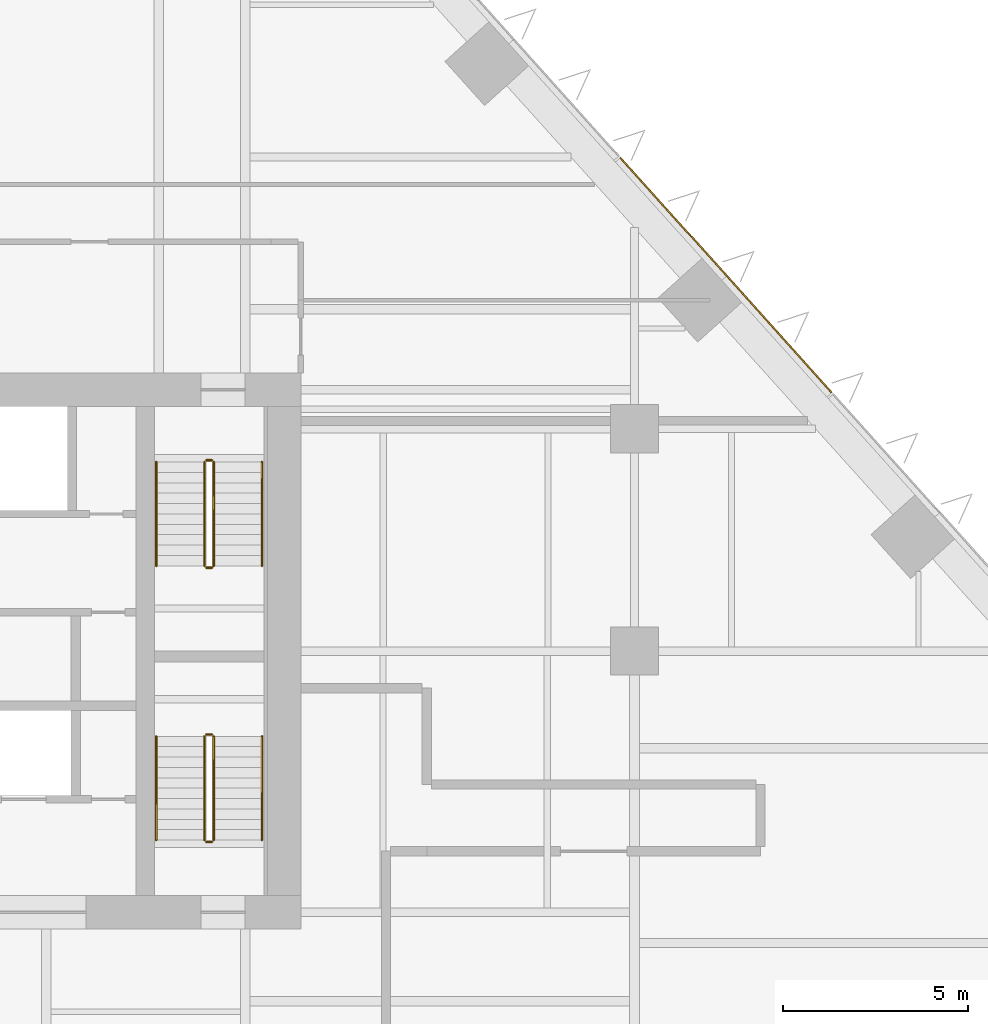
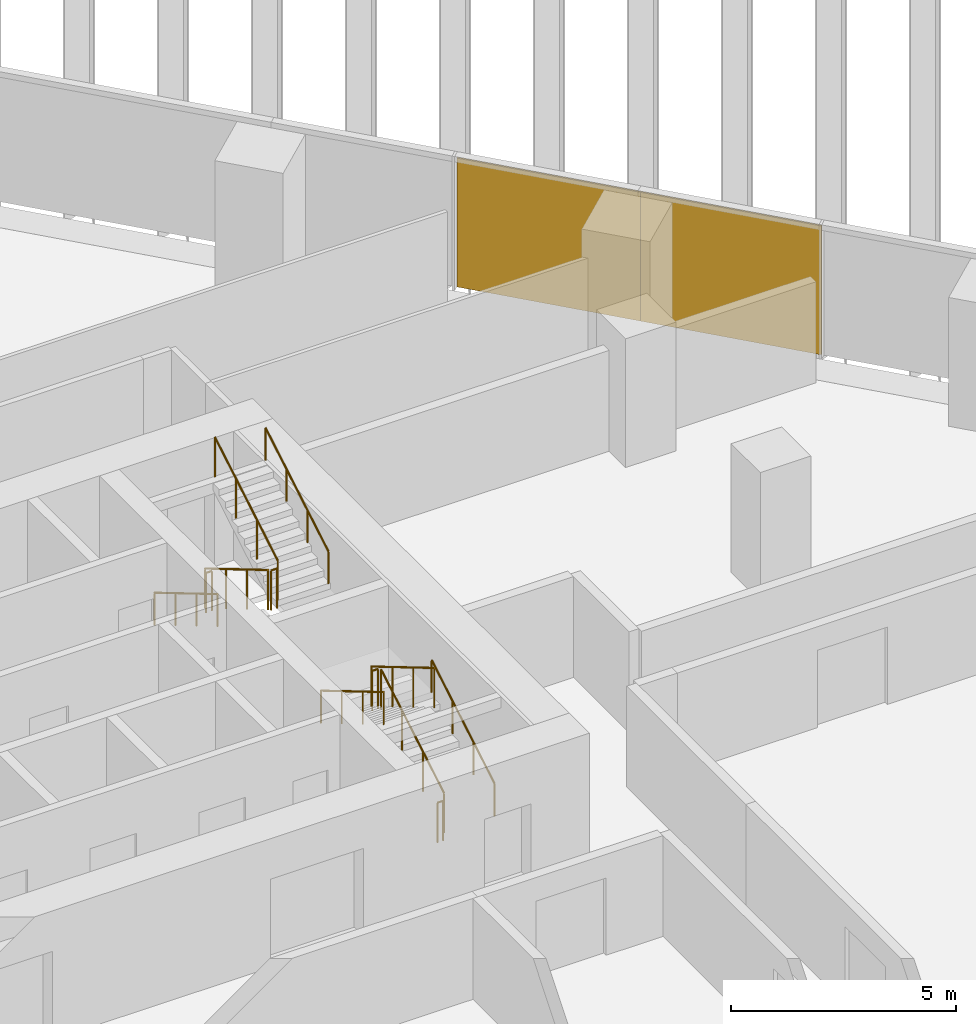
# One storey, part 20 of 24: 12 railings, 2 coverings, 1 element without a shape of its own.
"""IFC4 building model written with IfcOpenShell, lengths in metres."""

from ifc_helpers import new_model, si_unit, direction, frame, origin, origin_2d, place, context, subcontext, project, spatial, rectangle, circle, extrude, material, layer, layer_set, type_object, element, aggregate, save


model = new_model("IFC4")

# Units and contexts
model_context = context("Model", 3, precision=1e-05, world=origin(), true_north=direction((0.0, 1.0)))
body_context = subcontext(model_context, "Body", "Model", "MODEL_VIEW")
ifc_project = project(units=[si_unit("LENGTHUNIT", "METRE"), si_unit("AREAUNIT", "SQUARE_METRE"), si_unit("VOLUMEUNIT", "CUBIC_METRE"), si_unit("PLANEANGLEUNIT", "RADIAN"), si_unit("MASSUNIT", "GRAM", prefix="KILO")], contexts=[model_context])

# Site, building, storey
site_placement = place(None, origin())
site = spatial("IfcSite", under=ifc_project, at=site_placement, CompositionType="ELEMENT")
building_placement = place(site_placement, origin())
building = spatial("IfcBuilding", under=site, at=building_placement, Name="Isthmus Gate Tower", CompositionType="ELEMENT")
storey_placement = place(building_placement, frame((0.0, 0.0, 80.64990234375)))
storey = spatial("IfcBuildingStorey", under=building, at=storey_placement, Name="L18", CompositionType="ELEMENT", Elevation=80.64990234375)

# Curtain wall, coverings
ifc_material_1 = material(Name="Aluminium, pale champagne anodised", Category="aluminium")
ifc_layer_1 = layer(ifc_material_1, 0.199951171875)
ifc_layer_set_1 = layer_set([ifc_layer_1], Name="CW-1 UNITISED CURTAIN WALL 200 DEEP")
curtain_wall_type = type_object("IfcCurtainWallType", Name="CW-1 UNITISED CURTAIN WALL 200 DEEP", PredefinedType="NOTDEFINED", material=ifc_layer_set_1)
curtain_wall_placement = place(storey_placement, origin())
curtain_wall = element("IfcCurtainWall", 1, at=curtain_wall_placement, inside=storey, type_object=curtain_wall_type, Name="CW-1 NE L18", PredefinedType="NOTDEFINED")
ifc_material_2 = material(Name="Aluminium composite panel, pale champagne anodised", Category="aluminium")
ifc_layer_2 = layer(ifc_material_2, 0.0400390625)
ifc_layer_set_2 = layer_set([ifc_layer_2], Name="CW-1 PALE METAL PANEL 40")
covering_type = type_object("IfcCoveringType", Name="CW-1 PALE METAL PANEL 40", PredefinedType="CLADDING", material=ifc_layer_set_2)
covering_1_placement = place(storey_placement, frame((27.910400390625, 16.049560546875, 0.0), z_axis=(0.0, 0.0, 1.0), x_axis=(-0.669130606359, 0.743144825477, 0.0)))
covering_1 = element("IfcCovering", 2, at=covering_1_placement, type_object=covering_type, Name="CW-1 pale metal panel", PredefinedType="CLADDING", context=body_context, shape_type="SweptSolid", body=[
    extrude(rectangle(XDim=4.234619140625, YDim=0.0400390625, at=origin_2d()), origin(), (0.0, 0.0, 1.0), 3.5),
])
covering_2_placement = place(storey_placement, frame((25.056884765625, 19.21875, 0.0), z_axis=(0.0, 0.0, 1.0), x_axis=(-0.669130606359, 0.743144825477, 0.0)))
covering_2 = element("IfcCovering", 3, at=covering_2_placement, type_object=covering_type, Name="CW-1 pale metal panel", PredefinedType="CLADDING", context=body_context, shape_type="SweptSolid", body=[
    extrude(rectangle(XDim=4.294677734375, YDim=0.0400390625, at=origin_2d()), origin(), (0.0, 0.0, 1.0), 3.5),
])
aggregate(curtain_wall, [covering_1, covering_2])

# Railings
ifc_material_3 = material(Name="Stainless steel balustrade", Category="steel")
railing_type_1 = type_object("IfcRailingType", Name="STAIR GUARD 1100", PredefinedType="GUARDRAIL", material=ifc_material_3)
railing_1_placement = place(storey_placement, frame((12.39990234375, 12.60009765625, 0.166015625)))
element("IfcRailing", 4, at=railing_1_placement, inside=storey, type_object=railing_type_1, Name="L18 ST2 stair guard 1", PredefinedType="GUARDRAIL", context=body_context, shape_type="SweptSolid", body=[
    extrude(circle(Radius=0.02392578125, at=origin_2d()), frame((0.0, 0.0, 1.076171875), z_axis=(0.0, -0.860306154799, 0.50977771628), x_axis=(1.0, 0.0, 0.0)), (0.0, 0.0, 1.0), 3.254638671875),
    extrude(circle(Radius=0.02099609375, at=origin_2d()), origin(), (0.0, 0.0, 1.0), 1.052001953125),
    extrude(circle(Radius=0.02099609375, at=origin_2d()), frame((0.0, -0.933349609375, 0.552978515625)), (0.0, 0.0, 1.0), 1.052001953125),
    extrude(circle(Radius=0.02099609375, at=origin_2d()), frame((0.0, -1.86669921875, 1.106201171875)), (0.0, 0.0, 1.0), 1.052001953125),
    extrude(circle(Radius=0.02099609375, at=origin_2d()), frame((0.0, -2.800048828125, 1.6591796875)), (0.0, 0.0, 1.0), 1.052001953125),
])
railing_2_placement = place(storey_placement, frame((12.449951171875, 9.75, 1.8251953125)))
element("IfcRailing", 5, at=railing_2_placement, inside=storey, type_object=railing_type_1, Name="L18 ST2 stair guard 2", PredefinedType="GUARDRAIL", context=body_context, shape_type="SweptSolid", body=[
    extrude(circle(Radius=0.02392578125, at=origin_2d()), frame((0.0, 0.0, 1.076171875), z_axis=(1.0, 0.0, 0.0), x_axis=(0.0, 1.0, 0.0)), (0.0, 0.0, 1.0), 0.150146484375),
    extrude(circle(Radius=0.02099609375, at=origin_2d()), origin(), (0.0, 0.0, 1.0), 1.052001953125),
    extrude(circle(Radius=0.02099609375, at=origin_2d()), frame((0.150146484375, 0.0, 0.0)), (0.0, 0.0, 1.0), 1.052001953125),
])
railing_3_placement = place(storey_placement, frame((12.64990234375, 9.800048828125, 1.990966796875)))
element("IfcRailing", 6, at=railing_3_placement, inside=storey, type_object=railing_type_1, Name="L18 ST2 stair guard 3", PredefinedType="GUARDRAIL", context=body_context, shape_type="SweptSolid", body=[
    extrude(circle(Radius=0.02392578125, at=origin_2d()), frame((0.0, 0.0, 1.076171875), z_axis=(0.0, 0.860306154799, 0.50977771628), x_axis=(-1.0, 0.0, 0.0)), (0.0, 0.0, 1.0), 3.254638671875),
    extrude(circle(Radius=0.02099609375, at=origin_2d()), origin(), (0.0, 0.0, 1.0), 1.052001953125),
    extrude(circle(Radius=0.02099609375, at=origin_2d()), frame((0.0, 0.933349609375, 0.552978515625)), (0.0, 0.0, 1.0), 1.052001953125),
    extrude(circle(Radius=0.02099609375, at=origin_2d()), frame((0.0, 1.86669921875, 1.106201171875)), (0.0, 0.0, 1.0), 1.052001953125),
    extrude(circle(Radius=0.02099609375, at=origin_2d()), frame((0.0, 2.800048828125, 1.6591796875)), (0.0, 0.0, 1.0), 1.052001953125),
])
railing_4_placement = place(storey_placement, frame((12.449951171875, 12.64990234375, 0.0)))
element("IfcRailing", 7, at=railing_4_placement, inside=storey, type_object=railing_type_1, Name="L18 ST2 stair guard 4", PredefinedType="GUARDRAIL", context=body_context, shape_type="SweptSolid", body=[
    extrude(circle(Radius=0.02392578125, at=origin_2d()), frame((0.0, 0.0, 1.076171875), z_axis=(1.0, 0.0, 0.0), x_axis=(0.0, 1.0, 0.0)), (0.0, 0.0, 1.0), 0.150146484375),
    extrude(circle(Radius=0.02099609375, at=origin_2d()), origin(), (0.0, 0.0, 1.0), 1.052001953125),
    extrude(circle(Radius=0.02099609375, at=origin_2d()), frame((0.150146484375, 0.0, 0.0)), (0.0, 0.0, 1.0), 1.052001953125),
])
railing_5_placement = place(storey_placement, frame((12.64990234375, 2.39990234375, 0.166015625)))
element("IfcRailing", 8, at=railing_5_placement, inside=storey, type_object=railing_type_1, Name="L18 ST8 stair guard 1", PredefinedType="GUARDRAIL", context=body_context, shape_type="SweptSolid", body=[
    extrude(circle(Radius=0.02392578125, at=origin_2d()), frame((0.0, 0.0, 1.076171875), z_axis=(0.0, 0.860306154799, 0.50977771628), x_axis=(-1.0, 0.0, 0.0)), (0.0, 0.0, 1.0), 3.254638671875),
    extrude(circle(Radius=0.02099609375, at=origin_2d()), origin(), (0.0, 0.0, 1.0), 1.052001953125),
    extrude(circle(Radius=0.02099609375, at=origin_2d()), frame((0.0, 0.933349609375, 0.552978515625)), (0.0, 0.0, 1.0), 1.052001953125),
    extrude(circle(Radius=0.02099609375, at=origin_2d()), frame((0.0, 1.86669921875, 1.106201171875)), (0.0, 0.0, 1.0), 1.052001953125),
    extrude(circle(Radius=0.02099609375, at=origin_2d()), frame((0.0, 2.800048828125, 1.6591796875)), (0.0, 0.0, 1.0), 1.052001953125),
])
railing_6_placement = place(storey_placement, frame((12.60009765625, 5.25, 1.8251953125)))
element("IfcRailing", 9, at=railing_6_placement, inside=storey, type_object=railing_type_1, Name="L18 ST8 stair guard 2", PredefinedType="GUARDRAIL", context=body_context, shape_type="SweptSolid", body=[
    extrude(circle(Radius=0.02392578125, at=origin_2d()), frame((0.0, 0.0, 1.076171875), z_axis=(-1.0, 0.0, 0.0), x_axis=(0.0, -1.0, 0.0)), (0.0, 0.0, 1.0), 0.150146484375),
    extrude(circle(Radius=0.02099609375, at=origin_2d()), origin(), (0.0, 0.0, 1.0), 1.052001953125),
    extrude(circle(Radius=0.02099609375, at=origin_2d()), frame((-0.150146484375, 0.0, 0.0)), (0.0, 0.0, 1.0), 1.052001953125),
])
railing_7_placement = place(storey_placement, frame((12.39990234375, 5.199951171875, 1.990966796875)))
element("IfcRailing", 10, at=railing_7_placement, inside=storey, type_object=railing_type_1, Name="L18 ST8 stair guard 3", PredefinedType="GUARDRAIL", context=body_context, shape_type="SweptSolid", body=[
    extrude(circle(Radius=0.02392578125, at=origin_2d()), frame((0.0, 0.0, 1.076171875), z_axis=(0.0, -0.860306154799, 0.50977771628), x_axis=(1.0, 0.0, 0.0)), (0.0, 0.0, 1.0), 3.254638671875),
    extrude(circle(Radius=0.02099609375, at=origin_2d()), origin(), (0.0, 0.0, 1.0), 1.052001953125),
    extrude(circle(Radius=0.02099609375, at=origin_2d()), frame((0.0, -0.933349609375, 0.552978515625)), (0.0, 0.0, 1.0), 1.052001953125),
    extrude(circle(Radius=0.02099609375, at=origin_2d()), frame((0.0, -1.86669921875, 1.106201171875)), (0.0, 0.0, 1.0), 1.052001953125),
    extrude(circle(Radius=0.02099609375, at=origin_2d()), frame((0.0, -2.800048828125, 1.6591796875)), (0.0, 0.0, 1.0), 1.052001953125),
])
railing_8_placement = place(storey_placement, frame((12.60009765625, 2.35009765625, 0.0)))
element("IfcRailing", 11, at=railing_8_placement, inside=storey, type_object=railing_type_1, Name="L18 ST8 stair guard 4", PredefinedType="GUARDRAIL", context=body_context, shape_type="SweptSolid", body=[
    extrude(circle(Radius=0.02392578125, at=origin_2d()), frame((0.0, 0.0, 1.076171875), z_axis=(-1.0, 0.0, 0.0), x_axis=(0.0, -1.0, 0.0)), (0.0, 0.0, 1.0), 0.150146484375),
    extrude(circle(Radius=0.02099609375, at=origin_2d()), origin(), (0.0, 0.0, 1.0), 1.052001953125),
    extrude(circle(Radius=0.02099609375, at=origin_2d()), frame((-0.150146484375, 0.0, 0.0)), (0.0, 0.0, 1.0), 1.052001953125),
])
ifc_material_4 = material(Name="Stainless steel handrail", Category="steel")
railing_type_2 = type_object("IfcRailingType", Name="STAIR HANDRAIL 900", PredefinedType="HANDRAIL", material=ifc_material_4)
railing_9_placement = place(storey_placement, frame((11.10009765625, 12.60009765625, 0.166015625)))
element("IfcRailing", 12, at=railing_9_placement, inside=storey, type_object=railing_type_2, Name="L18 ST2 stair handrail 1", PredefinedType="HANDRAIL", context=body_context, shape_type="SweptSolid", body=[
    extrude(circle(Radius=0.02392578125, at=origin_2d()), frame((0.0, 0.0, 0.8759765625), z_axis=(0.0, -0.860306154799, 0.50977771628), x_axis=(1.0, 0.0, 0.0)), (0.0, 0.0, 1.0), 3.254638671875),
    extrude(circle(Radius=0.02099609375, at=origin_2d()), origin(), (0.0, 0.0, 1.0), 0.851806640625),
    extrude(circle(Radius=0.02099609375, at=origin_2d()), frame((0.0, -0.933349609375, 0.552978515625)), (0.0, 0.0, 1.0), 0.851806640625),
    extrude(circle(Radius=0.02099609375, at=origin_2d()), frame((0.0, -1.86669921875, 1.106201171875)), (0.0, 0.0, 1.0), 0.851806640625),
    extrude(circle(Radius=0.02099609375, at=origin_2d()), frame((0.0, -2.800048828125, 1.6591796875)), (0.0, 0.0, 1.0), 0.851806640625),
])
for number, where, name in (
    (13, (13.949951171875, 9.800048828125, 1.990966796875), "L18 ST2 stair handrail 2"),
    (14, (13.949951171875, 2.39990234375, 0.166015625), "L18 ST8 stair handrail 1"),
):
    element("IfcRailing", number, at=place(storey_placement, frame(where)), inside=storey, type_object=railing_type_2, Name=name, PredefinedType="HANDRAIL", context=body_context, shape_type="SweptSolid", body=[
        extrude(circle(Radius=0.02392578125, at=origin_2d()), frame((0.0, 0.0, 0.8759765625), z_axis=(0.0, 0.860306154799, 0.50977771628), x_axis=(-1.0, 0.0, 0.0)), (0.0, 0.0, 1.0), 3.254638671875),
        extrude(circle(Radius=0.02099609375, at=origin_2d()), origin(), (0.0, 0.0, 1.0), 0.851806640625),
        extrude(circle(Radius=0.02099609375, at=origin_2d()), frame((0.0, 0.933349609375, 0.552978515625)), (0.0, 0.0, 1.0), 0.851806640625),
        extrude(circle(Radius=0.02099609375, at=origin_2d()), frame((0.0, 1.86669921875, 1.106201171875)), (0.0, 0.0, 1.0), 0.851806640625),
        extrude(circle(Radius=0.02099609375, at=origin_2d()), frame((0.0, 2.800048828125, 1.6591796875)), (0.0, 0.0, 1.0), 0.851806640625),
    ])
railing_10_placement = place(storey_placement, frame((11.10009765625, 5.199951171875, 1.990966796875)))
element("IfcRailing", 15, at=railing_10_placement, inside=storey, type_object=railing_type_2, Name="L18 ST8 stair handrail 2", PredefinedType="HANDRAIL", context=body_context, shape_type="SweptSolid", body=[
    extrude(circle(Radius=0.02392578125, at=origin_2d()), frame((0.0, 0.0, 0.8759765625), z_axis=(0.0, -0.860306154799, 0.50977771628), x_axis=(1.0, 0.0, 0.0)), (0.0, 0.0, 1.0), 3.254638671875),
    extrude(circle(Radius=0.02099609375, at=origin_2d()), origin(), (0.0, 0.0, 1.0), 0.851806640625),
    extrude(circle(Radius=0.02099609375, at=origin_2d()), frame((0.0, -0.933349609375, 0.552978515625)), (0.0, 0.0, 1.0), 0.851806640625),
    extrude(circle(Radius=0.02099609375, at=origin_2d()), frame((0.0, -1.86669921875, 1.106201171875)), (0.0, 0.0, 1.0), 0.851806640625),
    extrude(circle(Radius=0.02099609375, at=origin_2d()), frame((0.0, -2.800048828125, 1.6591796875)), (0.0, 0.0, 1.0), 0.851806640625),
])

save(model, "model.ifc")
